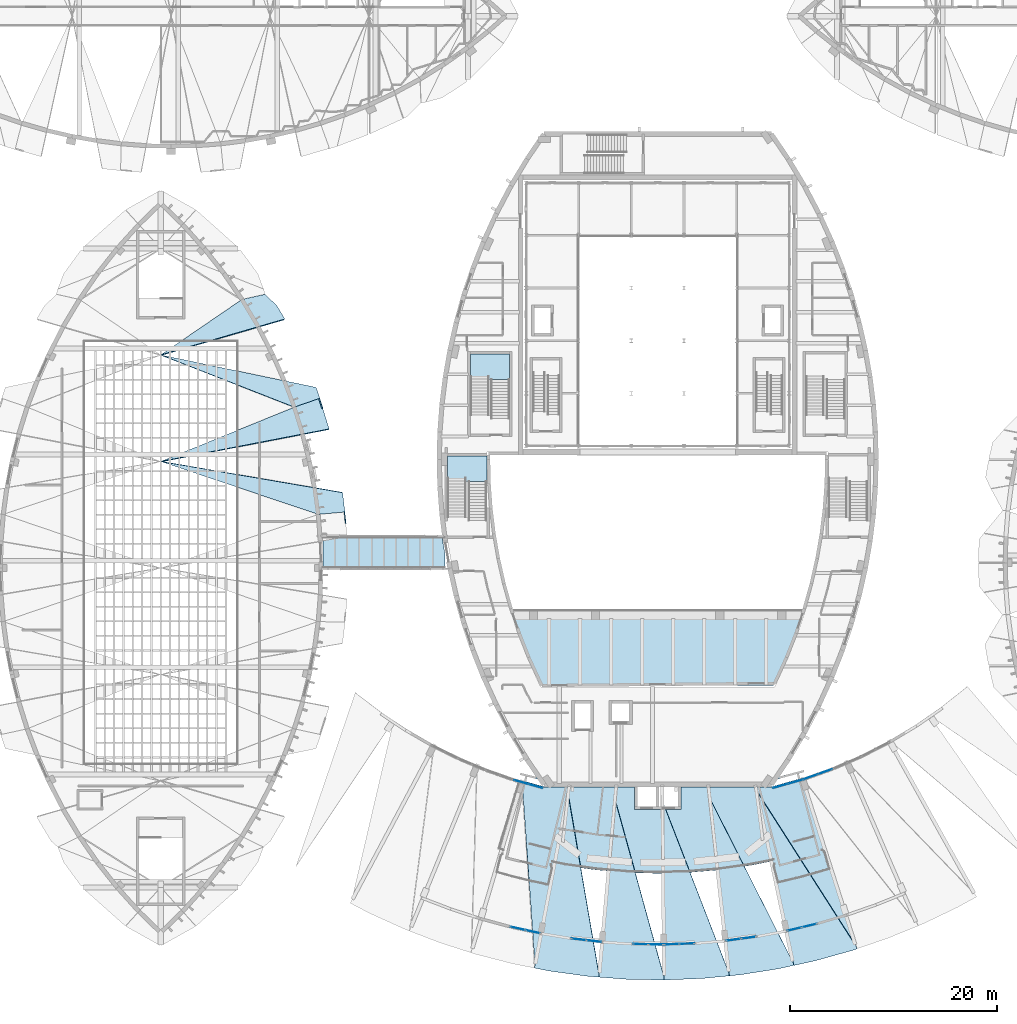
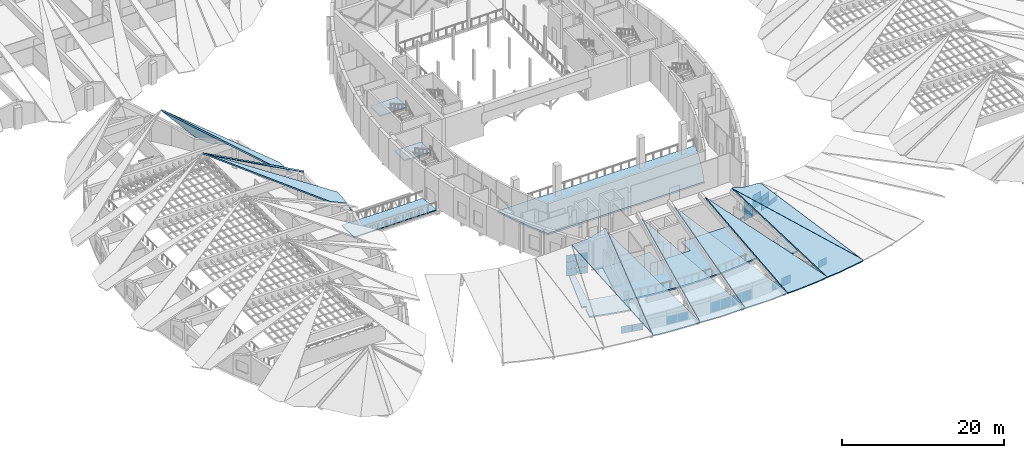
# One storey, part 22 of 56: 29 plates, 16 slabs, 11 elements without a shape of their own.
"""IFC4 building model written with IfcOpenShell, lengths in metres."""

from ifc_helpers import new_model, si_unit, direction, frame, origin, origin_2d, place, context, subcontext, project, spatial, polyline, rectangle, outline, extrude, material, layer, layer_set, type_object, element, aggregate, save


model = new_model("IFC4")

# Units and contexts
model_context = context("Model", 3, precision=1e-05, world=origin(), true_north=direction((0.0, 1.0)))
body_context = subcontext(model_context, "Body", "Model", "MODEL_VIEW")
ifc_project = project(units=[si_unit("LENGTHUNIT", "METRE"), si_unit("AREAUNIT", "SQUARE_METRE"), si_unit("VOLUMEUNIT", "CUBIC_METRE"), si_unit("PLANEANGLEUNIT", "RADIAN"), si_unit("MASSUNIT", "GRAM", prefix="KILO")], contexts=[model_context])

# Site, building, storey
site_placement = place(None, origin())
site = spatial("IfcSite", under=ifc_project, at=site_placement, CompositionType="ELEMENT")
building_placement = place(site_placement, origin())
building = spatial("IfcBuilding", under=site, at=building_placement, Name="Tide Square Theatres", CompositionType="ELEMENT")
storey_placement = place(building_placement, frame((0.0, 0.0, 10.199951171875)))
storey = spatial("IfcBuildingStorey", under=building, at=storey_placement, Name="L02", CompositionType="ELEMENT", Elevation=10.199951171875)

# Curtain wall, plates
ifc_material_1 = material(Name="Aluminium 6063-T5", Category="aluminium")
curtain_wall_type_1 = type_object("IfcCurtainWallType", Name="Stick system curtain wall 1200 high", PredefinedType="USERDEFINED", material=ifc_material_1)
curtain_wall_1_placement = place(storey_placement, origin())
curtain_wall_1 = element("IfcCurtainWall", 1, at=curtain_wall_1_placement, inside=storey, type_object=curtain_wall_type_1, Name="Foyer outer curtain wall", ObjectType="STICK SYSTEM", PredefinedType="USERDEFINED")
ifc_material_2 = material(Name="Double-glazed unit with aluminium frame", Category="aluminium")
ifc_layer_1 = layer(ifc_material_2, 0.030029296875)
ifc_layer_set_1 = layer_set([ifc_layer_1], Name="Double-glazed unit with aluminium frame")
plate_type = type_object("IfcPlateType", Name="Curtain wall panel 30 thick", PredefinedType="CURTAIN_PANEL", material=ifc_layer_set_1)
plate_1_placement = place(storey_placement, frame((70.492431640625, 9.68310546875, 0.050048828125), z_axis=(0.0, 0.0, 1.0), x_axis=(0.976909597447, -0.213653079584, 0.0)))
plate_1 = element("IfcPlate", 2, at=plate_1_placement, type_object=plate_type, Name="CW-07 panel 1.1", PredefinedType="CURTAIN_PANEL", context=body_context, shape_type="SweptSolid", body=[
    extrude(rectangle(XDim=1.423095703125, YDim=0.030029296875, at=origin_2d()), origin(), (0.0, 0.0, 1.0), 1.06298828125),
])
plate_2_placement = place(storey_placement, frame((71.931396484375, 9.368408203125, 0.050048828125), z_axis=(0.0, 0.0, 1.0), x_axis=(0.976909597447, -0.213653079584, 0.0)))
plate_2 = element("IfcPlate", 3, at=plate_2_placement, type_object=plate_type, Name="CW-07 panel 2.1", PredefinedType="CURTAIN_PANEL", context=body_context, shape_type="SweptSolid", body=[
    extrude(rectangle(XDim=1.423095703125, YDim=0.030029296875, at=origin_2d()), origin(), (0.0, 0.0, 1.0), 1.06298828125),
])
aggregate(curtain_wall_1, [plate_1, plate_2])

curtain_wall_2_placement = place(storey_placement, origin())
curtain_wall_2 = element("IfcCurtainWall", 4, at=curtain_wall_2_placement, inside=storey, type_object=curtain_wall_type_1, Name="Foyer outer curtain wall", ObjectType="STICK SYSTEM", PredefinedType="USERDEFINED")
plate_3_placement = place(storey_placement, frame((76.386962890625, 8.625244140625, 0.0498046875), z_axis=(0.0, 0.0, 1.0), x_axis=(0.993370727282, -0.114954765797, 0.0)))
plate_3 = element("IfcPlate", 5, at=plate_3_placement, type_object=plate_type, Name="CW-07 panel 1.1", PredefinedType="CURTAIN_PANEL", context=body_context, shape_type="SweptSolid", body=[
    extrude(rectangle(XDim=1.423095703125, YDim=0.030029296875, at=origin_2d()), origin(), (0.0, 0.0, 1.0), 1.227783203125),
])
plate_4_placement = place(storey_placement, frame((77.85009765625, 8.4560546875, 0.0498046875), z_axis=(0.0, 0.0, 1.0), x_axis=(0.993370727282, -0.114954765797, 0.0)))
plate_4 = element("IfcPlate", 6, at=plate_4_placement, type_object=plate_type, Name="CW-07 panel 2.1", PredefinedType="CURTAIN_PANEL", context=body_context, shape_type="SweptSolid", body=[
    extrude(rectangle(XDim=1.423095703125, YDim=0.030029296875, at=origin_2d()), origin(), (0.0, 0.0, 1.0), 1.227783203125),
])
aggregate(curtain_wall_2, [plate_3, plate_4])

ifc_material_3 = material(Name="Aluminium 6063-T5", Category="aluminium")
curtain_wall_type_2 = type_object("IfcCurtainWallType", Name="Stick system curtain wall 1800 high", PredefinedType="USERDEFINED", material=ifc_material_3)
curtain_wall_3_placement = place(storey_placement, origin())
curtain_wall_3 = element("IfcCurtainWall", 7, at=curtain_wall_3_placement, inside=storey, type_object=curtain_wall_type_2, Name="Foyer outer curtain wall", ObjectType="STICK SYSTEM", PredefinedType="USERDEFINED")
plate_5_placement = place(storey_placement, frame((82.357666015625, 8.161865234375, 0.05029296875), z_axis=(0.0, 0.0, 1.0), x_axis=(0.999885679455, -0.015120450414, 0.0)))
plate_5 = element("IfcPlate", 8, at=plate_5_placement, type_object=plate_type, Name="CW-08 panel 1.1", PredefinedType="CURTAIN_PANEL", context=body_context, shape_type="SweptSolid", body=[
    extrude(rectangle(XDim=1.4228515625, YDim=0.030029296875, at=origin_2d()), origin(), (0.0, 0.0, 1.0), 1.541259765625),
])
plate_6_placement = place(storey_placement, frame((83.830322265625, 8.139404296875, 0.05029296875), z_axis=(0.0, 0.0, 1.0), x_axis=(0.999885679455, -0.015120450414, 0.0)))
plate_6 = element("IfcPlate", 9, at=plate_6_placement, type_object=plate_type, Name="CW-08 panel 2.1", PredefinedType="CURTAIN_PANEL", context=body_context, shape_type="SweptSolid", body=[
    extrude(rectangle(XDim=1.4228515625, YDim=0.030029296875, at=origin_2d()), origin(), (0.0, 0.0, 1.0), 1.541259765625),
])
aggregate(curtain_wall_3, [plate_5, plate_6])

curtain_wall_4_placement = place(storey_placement, origin())
curtain_wall_4 = element("IfcCurtainWall", 10, at=curtain_wall_4_placement, inside=storey, type_object=curtain_wall_type_2, Name="Foyer outer curtain wall", ObjectType="STICK SYSTEM", PredefinedType="USERDEFINED")
plate_7_placement = place(storey_placement, frame((85.352783203125, 8.154541015625, 0.050048828125), z_axis=(0.0, 0.0, 1.0), x_axis=(0.999391522611, 0.034879571875, 0.0)))
plate_7 = element("IfcPlate", 11, at=plate_7_placement, type_object=plate_type, Name="CW-08 panel 1.1", PredefinedType="CURTAIN_PANEL", context=body_context, shape_type="SweptSolid", body=[
    extrude(rectangle(XDim=1.423095703125, YDim=0.030029296875, at=origin_2d()), origin(), (0.0, 0.0, 1.0), 1.54345703125),
])
plate_8_placement = place(storey_placement, frame((86.824951171875, 8.2060546875, 0.050048828125), z_axis=(0.0, 0.0, 1.0), x_axis=(0.999391522611, 0.034879571875, 0.0)))
plate_8 = element("IfcPlate", 12, at=plate_8_placement, type_object=plate_type, Name="CW-08 panel 2.1", PredefinedType="CURTAIN_PANEL", context=body_context, shape_type="SweptSolid", body=[
    extrude(rectangle(XDim=1.423095703125, YDim=0.030029296875, at=origin_2d()), origin(), (0.0, 0.0, 1.0), 1.54345703125),
])
aggregate(curtain_wall_4, [plate_7, plate_8])

curtain_wall_5_placement = place(storey_placement, origin())
curtain_wall_5 = element("IfcCurtainWall", 13, at=curtain_wall_5_placement, inside=storey, type_object=curtain_wall_type_1, Name="Foyer outer curtain wall", ObjectType="STICK SYSTEM", PredefinedType="USERDEFINED")
plate_9_placement = place(storey_placement, frame((91.32568359375, 8.589111328125, 0.050048828125), z_axis=(0.0, 0.0, 1.0), x_axis=(0.990903141427, 0.134576982836, 0.0)))
plate_9 = element("IfcPlate", 14, at=plate_9_placement, type_object=plate_type, Name="CW-07 panel 1.1", PredefinedType="CURTAIN_PANEL", context=body_context, shape_type="SweptSolid", body=[
    extrude(rectangle(XDim=1.423095703125, YDim=0.030029296875, at=origin_2d()), origin(), (0.0, 0.0, 1.0), 1.2333984375),
])
plate_10_placement = place(storey_placement, frame((92.785400390625, 8.787353515625, 0.050048828125), z_axis=(0.0, 0.0, 1.0), x_axis=(0.990903141427, 0.134576982836, 0.0)))
plate_10 = element("IfcPlate", 15, at=plate_10_placement, type_object=plate_type, Name="CW-07 panel 2.1", PredefinedType="CURTAIN_PANEL", context=body_context, shape_type="SweptSolid", body=[
    extrude(rectangle(XDim=1.423095703125, YDim=0.030029296875, at=origin_2d()), origin(), (0.0, 0.0, 1.0), 1.2333984375),
])
aggregate(curtain_wall_5, [plate_9, plate_10])

curtain_wall_6_placement = place(storey_placement, origin())
curtain_wall_6 = element("IfcCurtainWall", 16, at=curtain_wall_6_placement, inside=storey, type_object=curtain_wall_type_1, Name="Foyer outer curtain wall", ObjectType="STICK SYSTEM", PredefinedType="USERDEFINED")
plate_11_placement = place(storey_placement, frame((97.225341796875, 9.618408203125, 0.050048828125), z_axis=(0.0, 0.0, 1.0), x_axis=(0.972498081523, 0.232910887324, 0.0)))
plate_11 = element("IfcPlate", 17, at=plate_11_placement, type_object=plate_type, Name="CW-07 panel 1.1", PredefinedType="CURTAIN_PANEL", context=body_context, shape_type="SweptSolid", body=[
    extrude(rectangle(XDim=1.423095703125, YDim=0.030029296875, at=origin_2d()), origin(), (0.0, 0.0, 1.0), 1.07177734375),
])
plate_12_placement = place(storey_placement, frame((98.65771484375, 9.96142578125, 0.050048828125), z_axis=(0.0, 0.0, 1.0), x_axis=(0.972498081523, 0.232910887324, 0.0)))
plate_12 = element("IfcPlate", 18, at=plate_12_placement, type_object=plate_type, Name="CW-07 panel 2.1", PredefinedType="CURTAIN_PANEL", context=body_context, shape_type="SweptSolid", body=[
    extrude(rectangle(XDim=1.423095703125, YDim=0.030029296875, at=origin_2d()), origin(), (0.0, 0.0, 1.0), 1.07177734375),
])
aggregate(curtain_wall_6, [plate_11, plate_12])

ifc_material_4 = material(Name="Aluminium 6063-T5", Category="aluminium")
curtain_wall_type_3 = type_object("IfcCurtainWallType", Name="Stick system curtain wall 2400 high", PredefinedType="USERDEFINED", material=ifc_material_4)
curtain_wall_7_placement = place(storey_placement, origin())
curtain_wall_7 = element("IfcCurtainWall", 19, at=curtain_wall_7_placement, inside=storey, type_object=curtain_wall_type_3, Name="Foyer inner curtain wall", ObjectType="STICK SYSTEM", PredefinedType="USERDEFINED")
plate_13_placement = place(storey_placement, frame((100.18017578125, 24.826171875, 0.05029296875), z_axis=(0.0, 0.0, 1.0), x_axis=(-0.941960664039, -0.335723260146, 0.0)))
plate_13 = element("IfcPlate", 20, at=plate_13_placement, type_object=plate_type, Name="CW-09 panel 1.1", PredefinedType="CURTAIN_PANEL", context=body_context, shape_type="SweptSolid", body=[
    extrude(rectangle(XDim=1.44384765625, YDim=0.030029296875, at=origin_2d()), origin(), (0.0, 0.0, 1.0), 0.693603515625),
])
plate_14_placement = place(storey_placement, frame((100.18017578125, 24.826171875, 0.793701171875), z_axis=(0.0, 0.0, 1.0), x_axis=(-0.941960664039, -0.335723260146, 0.0)))
plate_14 = element("IfcPlate", 21, at=plate_14_placement, type_object=plate_type, Name="CW-09 panel 1.2", PredefinedType="CURTAIN_PANEL", context=body_context, shape_type="SweptSolid", body=[
    extrude(rectangle(XDim=1.44384765625, YDim=0.030029296875, at=origin_2d()), origin(), (0.0, 0.0, 1.0), 0.71875),
])
plate_15_placement = place(storey_placement, frame((98.77294921875, 24.32470703125, 0.05029296875), z_axis=(0.0, 0.0, 1.0), x_axis=(-0.941960664039, -0.335723260146, 0.0)))
plate_15 = element("IfcPlate", 22, at=plate_15_placement, type_object=plate_type, Name="CW-09 panel 2.1", PredefinedType="CURTAIN_PANEL", context=body_context, shape_type="SweptSolid", body=[
    extrude(rectangle(XDim=1.44384765625, YDim=0.030029296875, at=origin_2d()), origin(), (0.0, 0.0, 1.0), 0.693603515625),
])
plate_16_placement = place(storey_placement, frame((98.77294921875, 24.32470703125, 0.793701171875), z_axis=(0.0, 0.0, 1.0), x_axis=(-0.941960664039, -0.335723260146, 0.0)))
plate_16 = element("IfcPlate", 23, at=plate_16_placement, type_object=plate_type, Name="CW-09 panel 2.2", PredefinedType="CURTAIN_PANEL", context=body_context, shape_type="SweptSolid", body=[
    extrude(rectangle(XDim=1.44384765625, YDim=0.030029296875, at=origin_2d()), origin(), (0.0, 0.0, 1.0), 0.71875),
])
plate_17_placement = place(storey_placement, frame((98.77294921875, 24.32470703125, 1.5625), z_axis=(0.0, 0.0, 1.0), x_axis=(-0.941960664039, -0.335723260146, 0.0)))
plate_17 = element("IfcPlate", 24, at=plate_17_placement, type_object=plate_type, Name="CW-09 panel 2.3", PredefinedType="CURTAIN_PANEL", context=body_context, shape_type="SweptSolid", body=[
    extrude(rectangle(XDim=1.44384765625, YDim=0.030029296875, at=origin_2d()), origin(), (0.0, 0.0, 1.0), 0.693603515625),
])
aggregate(curtain_wall_7, [plate_13, plate_14, plate_15, plate_16, plate_17])

ifc_material_5 = material(Name="Aluminium 6063-T5", Category="aluminium")
curtain_wall_type_4 = type_object("IfcCurtainWallType", Name="Stick system curtain wall 3000 high", PredefinedType="USERDEFINED", material=ifc_material_5)
curtain_wall_8_placement = place(storey_placement, origin())
curtain_wall_8 = element("IfcCurtainWall", 25, at=curtain_wall_8_placement, inside=storey, type_object=curtain_wall_type_4, Name="Foyer inner curtain wall", ObjectType="STICK SYSTEM", PredefinedType="USERDEFINED")
plate_18_placement = place(storey_placement, frame((97.2998046875, 23.853759765625, 0.05029296875), z_axis=(0.0, 0.0, 1.0), x_axis=(-0.962020780227, -0.272976223163, 0.0)))
plate_18 = element("IfcPlate", 26, at=plate_18_placement, type_object=plate_type, Name="CW-10 panel 1.1", PredefinedType="CURTAIN_PANEL", context=body_context, shape_type="SweptSolid", body=[
    extrude(rectangle(XDim=1.45068359375, YDim=0.030029296875, at=origin_2d()), origin(), (0.0, 0.0, 1.0), 0.993896484375),
])
plate_19_placement = place(storey_placement, frame((97.2998046875, 23.853759765625, 1.093994140625), z_axis=(0.0, 0.0, 1.0), x_axis=(-0.962020780227, -0.272976223163, 0.0)))
plate_19 = element("IfcPlate", 27, at=plate_19_placement, type_object=plate_type, Name="CW-10 panel 1.2", PredefinedType="CURTAIN_PANEL", context=body_context, shape_type="SweptSolid", body=[
    extrude(rectangle(XDim=1.45068359375, YDim=0.030029296875, at=origin_2d()), origin(), (0.0, 0.0, 1.0), 1.01904296875),
])
plate_20_placement = place(storey_placement, frame((97.2998046875, 23.853759765625, 2.1630859375), z_axis=(0.0, 0.0, 1.0), x_axis=(-0.962020780227, -0.272976223163, 0.0)))
plate_20 = element("IfcPlate", 28, at=plate_20_placement, type_object=plate_type, Name="CW-10 panel 1.3", PredefinedType="CURTAIN_PANEL", context=body_context, shape_type="SweptSolid", body=[
    extrude(rectangle(XDim=1.45068359375, YDim=0.030029296875, at=origin_2d()), origin(), (0.0, 0.0, 1.0), 0.993896484375),
])
plate_21_placement = place(storey_placement, frame((95.856201171875, 23.4443359375, 0.05029296875), z_axis=(0.0, 0.0, 1.0), x_axis=(-0.962020780227, -0.272976223163, 0.0)))
plate_21 = element("IfcPlate", 29, at=plate_21_placement, type_object=plate_type, Name="CW-10 panel 2.1", PredefinedType="CURTAIN_PANEL", context=body_context, shape_type="SweptSolid", body=[
    extrude(rectangle(XDim=1.45068359375, YDim=0.030029296875, at=origin_2d()), origin(), (0.0, 0.0, 1.0), 0.993896484375),
])
plate_22_placement = place(storey_placement, frame((95.856201171875, 23.4443359375, 1.093994140625), z_axis=(0.0, 0.0, 1.0), x_axis=(-0.962020780227, -0.272976223163, 0.0)))
plate_22 = element("IfcPlate", 30, at=plate_22_placement, type_object=plate_type, Name="CW-10 panel 2.2", PredefinedType="CURTAIN_PANEL", context=body_context, shape_type="SweptSolid", body=[
    extrude(rectangle(XDim=1.45068359375, YDim=0.030029296875, at=origin_2d()), origin(), (0.0, 0.0, 1.0), 1.01904296875),
])
plate_23_placement = place(storey_placement, frame((95.856201171875, 23.4443359375, 2.1630859375), z_axis=(0.0, 0.0, 1.0), x_axis=(-0.962020780227, -0.272976223163, 0.0)))
plate_23 = element("IfcPlate", 31, at=plate_23_placement, type_object=plate_type, Name="CW-10 panel 2.3", PredefinedType="CURTAIN_PANEL", context=body_context, shape_type="SweptSolid", body=[
    extrude(rectangle(XDim=1.45068359375, YDim=0.030029296875, at=origin_2d()), origin(), (0.0, 0.0, 1.0), 0.993896484375),
])
aggregate(curtain_wall_8, [plate_18, plate_19, plate_20, plate_21, plate_22, plate_23])

curtain_wall_9_placement = place(storey_placement, origin())
curtain_wall_9 = element("IfcCurtainWall", 32, at=curtain_wall_9_placement, inside=storey, type_object=curtain_wall_type_4, Name="Foyer inner curtain wall", ObjectType="STICK SYSTEM", PredefinedType="USERDEFINED")
plate_24_placement = place(storey_placement, frame((72.181396484375, 23.432373046875, 0.050048828125), z_axis=(0.0, 0.0, 1.0), x_axis=(-0.962486941691, 0.271328006432, 0.0)))
plate_24 = element("IfcPlate", 33, at=plate_24_placement, type_object=plate_type, Name="CW-10 panel 1.1", PredefinedType="CURTAIN_PANEL", context=body_context, shape_type="SweptSolid", body=[
    extrude(rectangle(XDim=1.371826171875, YDim=0.030029296875, at=origin_2d()), origin(), (0.0, 0.0, 1.0), 1.00048828125),
])
plate_25_placement = place(storey_placement, frame((72.181396484375, 23.432373046875, 1.1005859375), z_axis=(0.0, 0.0, 1.0), x_axis=(-0.962486941691, 0.271328006432, 0.0)))
plate_25 = element("IfcPlate", 34, at=plate_25_placement, type_object=plate_type, Name="CW-10 panel 1.2", PredefinedType="CURTAIN_PANEL", context=body_context, shape_type="SweptSolid", body=[
    extrude(rectangle(XDim=1.371826171875, YDim=0.030029296875, at=origin_2d()), origin(), (0.0, 0.0, 1.0), 1.025634765625),
])
plate_26_placement = place(storey_placement, frame((72.181396484375, 23.432373046875, 2.176513671875), z_axis=(0.0, 0.0, 1.0), x_axis=(-0.962486941691, 0.271328006432, 0.0)))
plate_26 = element("IfcPlate", 35, at=plate_26_placement, type_object=plate_type, Name="CW-10 panel 1.3", PredefinedType="CURTAIN_PANEL", context=body_context, shape_type="SweptSolid", body=[
    extrude(rectangle(XDim=1.371826171875, YDim=0.030029296875, at=origin_2d()), origin(), (0.0, 0.0, 1.0), 1.00048828125),
])
plate_27_placement = place(storey_placement, frame((70.81298828125, 23.818115234375, 0.050048828125), z_axis=(0.0, 0.0, 1.0), x_axis=(-0.962486941691, 0.271328006432, 0.0)))
plate_27 = element("IfcPlate", 36, at=plate_27_placement, type_object=plate_type, Name="CW-10 panel 2.1", PredefinedType="CURTAIN_PANEL", context=body_context, shape_type="SweptSolid", body=[
    extrude(rectangle(XDim=1.371826171875, YDim=0.030029296875, at=origin_2d()), origin(), (0.0, 0.0, 1.0), 1.00048828125),
])
plate_28_placement = place(storey_placement, frame((70.81298828125, 23.818115234375, 1.1005859375), z_axis=(0.0, 0.0, 1.0), x_axis=(-0.962486941691, 0.271328006432, 0.0)))
plate_28 = element("IfcPlate", 37, at=plate_28_placement, type_object=plate_type, Name="CW-10 panel 2.2", PredefinedType="CURTAIN_PANEL", context=body_context, shape_type="SweptSolid", body=[
    extrude(rectangle(XDim=1.371826171875, YDim=0.030029296875, at=origin_2d()), origin(), (0.0, 0.0, 1.0), 1.025634765625),
])
plate_29_placement = place(storey_placement, frame((70.81298828125, 23.818115234375, 2.176513671875), z_axis=(0.0, 0.0, 1.0), x_axis=(-0.962486941691, 0.271328006432, 0.0)))
plate_29 = element("IfcPlate", 38, at=plate_29_placement, type_object=plate_type, Name="CW-10 panel 2.3", PredefinedType="CURTAIN_PANEL", context=body_context, shape_type="SweptSolid", body=[
    extrude(rectangle(XDim=1.371826171875, YDim=0.030029296875, at=origin_2d()), origin(), (0.0, 0.0, 1.0), 1.00048828125),
])
aggregate(curtain_wall_9, [plate_24, plate_25, plate_26, plate_27, plate_28, plate_29])

# Slabs
ifc_material_6 = material(Name="Concrete C35", Category="concrete")
ifc_layer_2 = layer(ifc_material_6, 0.14990234375)
ifc_layer_set_2 = layer_set([ifc_layer_2], Name="Concrete C35")
slab_type_1 = type_object("IfcSlabType", Name="RC floor slab 150", PredefinedType="FLOOR", material=ifc_layer_set_2)
slab_1_placement = place(storey_placement, frame((0.0, 0.0, -0.14990234375)))
element("IfcSlab", 39, at=slab_1_placement, inside=storey, type_object=slab_type_1, Name="Bridge BR-W2 deck", PredefinedType="FLOOR", context=body_context, shape_type="SweptSolid", body=[
    extrude(outline(polyline([(63.250732421875, 47.06689453125), (63.197509765625, 47.5), (51.652099609375, 47.5), (51.652099609375, 45.99951171875), (51.69287109375, 44.5), (63.436279296875, 44.5), (63.436279296875, 46.0), (63.250732421875, 47.06689453125)])), origin(), (0.0, 0.0, 1.0), 0.14990234375),
])
ifc_material_7 = material(Name="Concrete C35", Category="concrete")
ifc_layer_3 = layer(ifc_material_7, 0.219970703125)
ifc_layer_set_3 = layer_set([ifc_layer_3], Name="Concrete C35")
slab_type_2 = type_object("IfcSlabType", Name="RC floor slab 220", PredefinedType="FLOOR", material=ifc_layer_set_3)
slab_2_placement = place(storey_placement, frame((0.0, 0.0, -0.219970703125)))
element("IfcSlab", 40, at=slab_2_placement, inside=storey, type_object=slab_type_2, Name="Foyer gallery slab", PredefinedType="FLOOR", context=body_context, shape_type="SweptSolid", body=[
    extrude(outline(polyline([(68.319091796875, 15.04443359375), (69.087158203125, 14.821533203125), (69.1328125, 14.808349609375), (69.26904296875, 14.768798828125), (70.57958984375, 14.42333984375), (71.898681640625, 14.110107421875), (72.60791015625, 13.9599609375), (72.73046875, 13.93017578125), (73.224853515625, 13.829345703125), (73.51611328125, 13.775146484375), (73.88720703125, 15.294677734375), (73.902099609375, 15.371826171875), (73.9091796875, 15.449951171875), (73.90869140625, 15.528564453125), (73.900634765625, 15.6064453125), (73.885009765625, 15.683349609375), (73.861572265625, 15.75830078125), (73.831298828125, 15.830810546875), (73.793701171875, 15.89990234375), (73.749755859375, 15.96484375), (73.69970703125, 16.025146484375), (75.069091796875, 15.7578125), (78.0302734375, 15.33740234375), (81.01025390625, 15.08447265625), (84.0, 15.0), (86.989501953125, 15.08447265625), (89.9697265625, 15.33740234375), (92.930908203125, 15.7578125), (95.3212890625, 16.236328125), (95.27685546875, 16.177734375), (95.234130859375, 16.11181640625), (95.197998046875, 16.0419921875), (95.169189453125, 15.968994140625), (95.147216796875, 15.893798828125), (95.133056640625, 15.81640625), (95.12646484375, 15.73828125), (95.12744140625, 15.65966796875), (95.13623046875, 15.581787109375), (95.152587890625, 15.5048828125), (95.55322265625, 13.994140625), (96.101318359375, 14.110107421875), (96.33447265625, 14.16552734375), (96.426025390625, 14.187255859375), (97.420166015625, 14.42333984375), (98.73095703125, 14.768798828125), (99.924072265625, 15.114990234375), (99.960693359375, 15.12451171875), (100.032958984375, 15.146484375), (100.724609375, 15.365478515625), (100.323974609375, 16.876220703125), (100.300048828125, 16.950927734375), (100.26904296875, 17.023193359375), (100.231201171875, 17.091796875), (100.1865234375, 17.156494140625), (100.135986328125, 17.216552734375), (100.07958984375, 17.271240234375), (100.018310546875, 17.3203125), (99.952392578125, 17.36279296875), (99.8828125, 17.39892578125), (99.809814453125, 17.427978515625), (99.734375, 17.44970703125), (99.6572265625, 17.464111328125), (99.59765625, 17.468994140625), (99.792236328125, 16.735107421875), (99.7939453125, 16.720703125), (99.791259765625, 16.706298828125), (99.78466796875, 16.693115234375), (99.7744140625, 16.6826171875), (99.761474609375, 16.675537109375), (99.564453125, 16.623046875), (99.55078125, 16.670166015625), (99.743896484375, 16.722412109375), (97.591064453125, 24.841796875), (95.111572265625, 24.184326171875), (94.939697265625, 23.931884765625), (97.448974609375, 24.59716796875), (99.037841796875, 18.605224609375), (95.4130859375, 17.64404296875), (93.82421875, 23.635986328125), (94.47119140625, 23.8076171875), (93.69091796875, 23.8076171875), (93.57958984375, 23.778076171875), (93.69091796875, 23.35888671875), (86.25, 23.357666015625), (86.25, 21.15771484375), (84.14990234375, 21.15771484375), (83.85009765625, 21.15771484375), (81.75, 21.15771484375), (81.75, 23.357666015625), (75.2392578125, 23.357666015625), (75.29638671875, 23.597412109375), (74.435302734375, 23.8076171875), (73.591796875, 23.8076171875), (75.0546875, 23.450439453125), (73.58447265625, 17.42822265625), (69.94140625, 18.317626953125), (71.41162109375, 24.33984375), (73.055908203125, 23.9384765625), (72.8876953125, 24.185302734375), (71.264892578125, 24.58154296875), (71.09130859375, 23.87060546875), (70.55419921875, 24.020751953125), (68.509033203125, 17.331298828125), (69.172119140625, 17.118408203125), (69.12060546875, 17.094970703125), (69.051513671875, 17.0576171875), (68.986572265625, 17.013427734375), (68.92626953125, 16.96337890625), (68.87109375, 16.907470703125), (68.821533203125, 16.846435546875), (68.7783203125, 16.781005859375), (68.74169921875, 16.71142578125), (68.712158203125, 16.638916015625), (68.689697265625, 16.5634765625), (68.319091796875, 15.04443359375)])), origin(), (0.0, 0.0, 1.0), 0.219970703125),
])
ifc_material_8 = material(Name="Concrete C35", Category="concrete")
ifc_layer_4 = layer(ifc_material_8, 0.25)
ifc_layer_set_4 = layer_set([ifc_layer_4], Name="Concrete C35")
slab_type_3 = type_object("IfcSlabType", Name="RC floor slab 250", PredefinedType="FLOOR", material=ifc_layer_set_4)
slab_3_placement = place(storey_placement, frame((0.0, 0.0, -0.25)))
element("IfcSlab", 41, at=slab_3_placement, inside=storey, type_object=slab_type_3, Name="Upper circle slab", PredefinedType="FLOOR", context=body_context, shape_type="SweptSolid", body=[
    extrude(outline(polyline([(71.5576171875, 35.86474609375), (72.706298828125, 33.3564453125), (72.815185546875, 33.14990234375), (95.184814453125, 33.14990234375), (95.293701171875, 33.3564453125), (96.4423828125, 35.86474609375), (97.3603515625, 38.19189453125), (98.136962890625, 40.5), (69.863037109375, 40.5), (70.6396484375, 38.19189453125), (71.5576171875, 35.86474609375)])), origin(), (0.0, 0.0, 1.0), 0.25),
])

# Stair, slab
ifc_material_9 = material(Name="Concrete C35", Category="concrete")
stair_type = type_object("IfcStairType", Name="Stair half turn 1800 wide, 28 risers, rise 4600", PredefinedType="HALF_TURN_STAIR", material=ifc_material_9)
stair_1_placement = place(storey_placement, origin())
stair_1 = element("IfcStair", 42, at=stair_1_placement, inside=storey, type_object=stair_type, Name="Main Theatre West Stair", PredefinedType="HALF_TURN_STAIR")
ifc_material_10 = material(Name="Concrete C35", Category="concrete")
ifc_layer_5 = layer(ifc_material_10, 0.199951171875)
ifc_layer_set_5 = layer_set([ifc_layer_5], Name="Concrete C35")
slab_type_4 = type_object("IfcSlabType", Name="RC landing slab 200", PredefinedType="LANDING", material=ifc_layer_set_5)
slab_4_placement = place(storey_placement, frame((0.0, 0.0, 2.10009765625)))
slab_4 = element("IfcSlab", 43, at=slab_4_placement, type_object=slab_type_4, Name="ST-1800-4600 landing 1", PredefinedType="LANDING", context=body_context, shape_type="SweptSolid", body=[
    extrude(outline(polyline([(69.699951171875, 62.719970703125), (69.699951171875, 65.14990234375), (65.89990234375, 65.14990234375), (65.89990234375, 62.719970703125), (69.699951171875, 62.719970703125)])), origin(), (0.0, 0.0, 1.0), 0.199951171875),
])
aggregate(stair_1, [slab_4])

stair_2_placement = place(storey_placement, origin())
stair_2 = element("IfcStair", 44, at=stair_2_placement, inside=storey, type_object=stair_type, Name="Main Theatre West Circle Stair", PredefinedType="HALF_TURN_STAIR")
slab_5_placement = place(storey_placement, frame((0.0, 0.0, 2.10009765625)))
slab_5 = element("IfcSlab", 45, at=slab_5_placement, type_object=slab_type_4, Name="ST-1800-4600 landing 1", PredefinedType="LANDING", context=body_context, shape_type="SweptSolid", body=[
    extrude(outline(polyline([(67.5, 52.8701171875), (67.5, 55.300048828125), (63.699951171875, 55.300048828125), (63.699951171875, 52.8701171875), (67.5, 52.8701171875)])), origin(), (0.0, 0.0, 1.0), 0.199951171875),
])
aggregate(stair_2, [slab_5])

# Slabs
ifc_material_11 = material(Name="Concrete C40", Category="concrete")
ifc_layer_6 = layer(ifc_material_11, 0.199951171875)
ifc_layer_set_6 = layer_set([ifc_layer_6], Name="Concrete C40")
slab_type_5 = type_object("IfcSlabType", Name="RC roof slab 200", PredefinedType="ROOF", material=ifc_layer_set_6)
slab_6_placement = place(storey_placement, frame((72.906982421875, 23.357666015625, 5.10791015625), z_axis=(-0.295132158915, -0.184292375428, 0.937514442093), x_axis=(-0.933827502559, 0.263235280362, -0.242225891756)))
element("IfcSlab", 46, at=slab_6_placement, inside=storey, type_object=slab_type_5, Name="Foyer roof plate foyer-S4b", PredefinedType="ROOF", context=body_context, shape_type="SweptSolid", body=[
    extrude(outline(polyline([(0.0, 0.0), (2.1516744324707577, -1.3877787807814457e-16), (-2.9069046175511253, 17.225753310350147), (-2.5343129891678173, -0.7044723580165875), (0.0, 0.0)])), origin(), (0.0, 0.0, -1.0), 0.199951171875),
])
slab_7_placement = place(storey_placement, frame((78.322509765625, 4.97705078125, 1.764404296875), z_axis=(-0.088253592961, -0.231997603176, 0.96870450368), x_axis=(0.086852894649, 0.96700308441, 0.239502838046)))
element("IfcSlab", 47, at=slab_7_placement, inside=storey, type_object=slab_type_5, Name="Foyer roof plate foyer-S5a", PredefinedType="ROOF", context=body_context, shape_type="SweptSolid", body=[
    extrude(outline(polyline([(0.0, 0.0), (0.21944160623854828, 1.3010426069826053e-18), (17.85769096468241, 4.577166380786633), (0.22376959599215507, 6.296143708170944), (0.08255450679742775, 4.740898869513338), (-0.030683653278984965, 1.05450728908685), (0.0, 0.0)])), origin(), (0.0, 0.0, -1.0), 0.199951171875),
])
slab_8_placement = place(storey_placement, frame((84.625732421875, 4.703125, 1.858642578125), z_axis=(-0.027315277661, -0.266353049464, 0.963488416457), x_axis=(-0.009795941402, 0.963873101193, 0.266181675419)))
element("IfcSlab", 48, at=slab_8_placement, inside=storey, type_object=slab_type_5, Name="Foyer roof plate foyer-S6a", PredefinedType="ROOF", context=body_context, shape_type="SweptSolid", body=[
    extrude(outline(polyline([(0.0, 0.0), (0.2738385983142598, 0.0), (18.085669321715127, 4.570606191413524), (0.297355825151914, 6.290748982283482), (0.08152033331815513, 3.682144710022082), (0.0, 0.0)])), origin(), (0.0, 0.0, -1.0), 0.199951171875),
])
slab_9_placement = place(storey_placement, frame((90.922119140625, 5.1015625, 1.700439453125), z_axis=(0.041091934684, -0.274031470407, 0.96084244605), x_axis=(-0.104825473612, 0.955165212442, 0.276895353922)))
element("IfcSlab", 49, at=slab_9_placement, inside=storey, type_object=slab_type_5, Name="Foyer roof plate foyer-S7a", PredefinedType="ROOF", context=body_context, shape_type="SweptSolid", body=[
    extrude(outline(polyline([(0.0, 0.0), (0.27240099264727236, 1.3010426069826053e-18), (18.206781786042633, 4.58325505556797), (0.3222151097458146, 6.298254587200037), (0.041501345755719565, 2.629798787122041), (0.0, 0.0)])), origin(), (0.0, 0.0, -1.0), 0.199951171875),
])
slab_10_placement = place(storey_placement, frame((97.149169921875, 6.107666015625, 1.30419921875), z_axis=(0.102780883285, -0.253912777743, 0.961750690839), x_axis=(-0.199952263643, 0.941861293239, 0.270030362297)))
element("IfcSlab", 50, at=slab_10_placement, inside=storey, type_object=slab_type_5, Name="Foyer roof plate foyer-S8a", PredefinedType="ROOF", context=body_context, shape_type="SweptSolid", body=[
    extrude(outline(polyline([(0.0, 0.0), (0.25409245614738574, -3.469446951953614e-18), (18.201500417163466, 4.58614377678505), (0.40480872141494717, 6.30209621110847), (0.26930763044886175, 5.260540768657632), (0.014047366078818384, 1.5798874264783438), (0.0, 0.0)])), origin(), (0.0, 0.0, -1.0), 0.199951171875),
])
slab_11_placement = place(storey_placement, frame((103.25, 7.7119140625, 0.7470703125), z_axis=(0.145453145958, -0.211743495902, 0.966440931601), x_axis=(-0.294720874639, 0.923208633331, 0.246628111527)))
element("IfcSlab", 51, at=slab_11_placement, inside=storey, type_object=slab_type_5, Name="Foyer roof plate foyer-S9a", PredefinedType="ROOF", context=body_context, shape_type="SweptSolid", body=[
    extrude(outline(polyline([(0.0, 0.0), (0.24280499440981587, 9.540979117872439e-18), (18.087045573866707, 4.588568736102884), (0.45529756482188793, 6.305216273403323), (0.21011060526356934, 4.217022967261362), (-0.001338631225492817, 0.5275025832902633), (0.0, 0.0)])), origin(), (0.0, 0.0, -1.0), 0.199951171875),
])
slab_12_placement = place(storey_placement, frame((93.484375, 23.357666015625, 5.620361328125), z_axis=(0.295239110458, -0.110473604622, 0.949014989522), x_axis=(0.204095613352, -0.96307223347, -0.175604253165)))
element("IfcSlab", 52, at=slab_12_placement, inside=storey, type_object=slab_type_5, Name="Foyer roof plate foyer-S9b", PredefinedType="ROOF", context=body_context, shape_type="SweptSolid", body=[
    extrude(outline(polyline([(0.0, 0.0), (0.3287777305247288, 6.938893903907228e-18), (17.505445305248262, 6.485524339808737), (0.35769718749315504, 4.733046579017255), (0.4161618923603781, 1.6324167316289384), (0.0, 0.0)])), origin(), (0.0, 0.0, -1.0), 0.199951171875),
])
slab_13_placement = place(storey_placement, frame((53.572265625, 51.77978515625, 1.71142578125), z_axis=(0.460696981669, -0.236796948283, 0.855386167976), x_axis=(-0.853501658593, 0.146210232272, 0.500157461963)))
element("IfcSlab", 53, at=slab_13_placement, inside=storey, type_object=slab_type_5, Name="Roof plate studio-P018", PredefinedType="ROOF", context=body_context, shape_type="SweptSolid", body=[
    extrude(outline(polyline([(0.0, 0.0), (20.588390862672927, -2.220446049250313e-16), (2.0513701766431076, 2.5030653101026), (-0.7783873966995303, 1.8338971736091025), (-1.2135064065635768, 2.9440094535939174), (-1.256703801187102, 2.949906245760125), (0.0, 0.0)])), origin(), (0.0, 0.0, -1.0), 0.199951171875),
])
slab_14_placement = place(storey_placement, frame((36.0, 54.7900390625, 12.0087890625), z_axis=(0.430598695674, 0.412093884702, 0.802971601911), x_axis=(0.833120950795, 0.1606890729, -0.529233883266)))
element("IfcSlab", 54, at=slab_14_placement, inside=storey, type_object=slab_type_5, Name="Roof plate studio-P022", PredefinedType="ROOF", context=body_context, shape_type="SweptSolid", body=[
    extrude(outline(polyline([(0.0, 0.0), (19.53068312415865, -8.881784197001252e-16), (19.780522169809572, 3.252397912461224), (16.673393315394048, 2.862259146166631), (0.0, 0.0)])), origin(), (0.0, 0.0, -1.0), 0.199951171875),
])
slab_15_placement = place(storey_placement, frame((51.00927734375, 61.94677734375, 0.98046875), z_axis=(0.593645708879, -0.059883598873, 0.802495312706), x_axis=(-0.787108934526, 0.16431499575, 0.594525110791)))
element("IfcSlab", 55, at=slab_15_placement, inside=storey, type_object=slab_type_5, Name="Roof plate studio-P023", PredefinedType="ROOF", context=body_context, shape_type="SweptSolid", body=[
    extrude(outline(polyline([(0.0, 0.0), (19.06886469163445, -8.881784197001252e-16), (2.1923561916892984, 2.306178090305307), (-0.6402869146865189, 0.9710410121249962), (-1.2203274124160413, 1.8712839280925353), (-1.2120077527668582, 1.7737376906096332), (0.0, 0.0)])), origin(), (0.0, 0.0, -1.0), 0.199951171875),
])
slab_16_placement = place(storey_placement, frame((43.84228515625, 70.439453125, 2.400146484375), z_axis=(0.498927507414, 0.533582369799, 0.682906433551), x_axis=(-0.571088635395, -0.390280895262, 0.722176289638)))
element("IfcSlab", 56, at=slab_16_placement, inside=storey, type_object=slab_type_5, Name="Roof plate studio-P027", PredefinedType="ROOF", context=body_context, shape_type="SweptSolid", body=[
    extrude(outline(polyline([(0.0, 0.0), (13.732294536220461, 0.0), (-2.7519965392756722, 3.9496093472220415), (-3.1458721751012018, 2.406309467819202), (-2.9085323504349567, 0.8488074478594141), (0.0, 0.0)])), origin(), (0.0, 0.0, -1.0), 0.199951171875),
])

save(model, "model.ifc")
